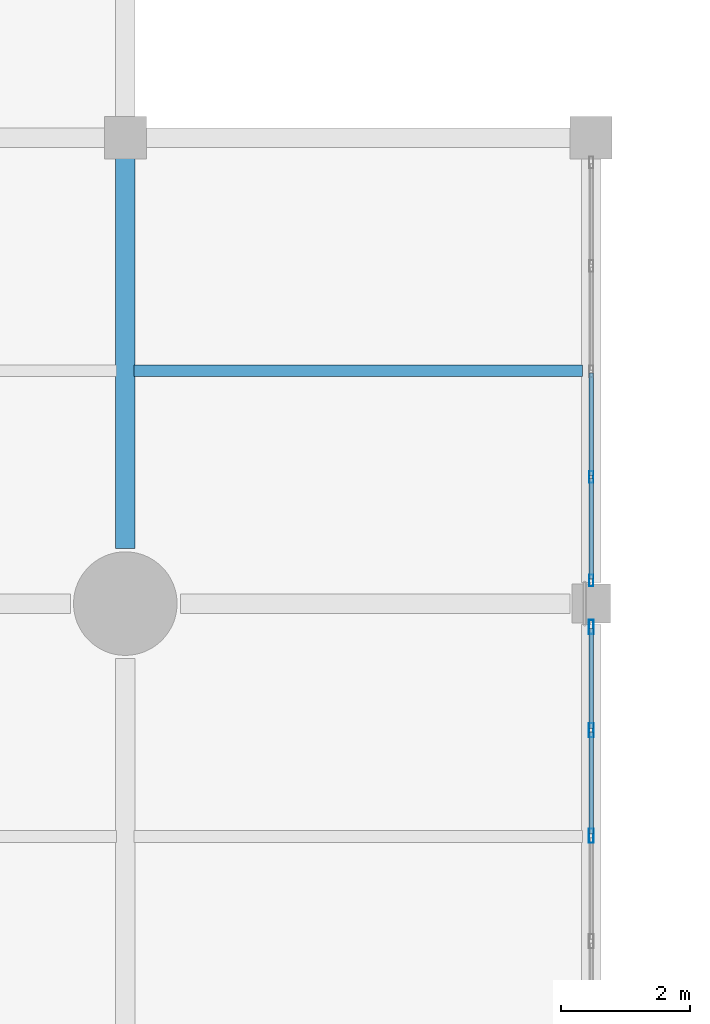
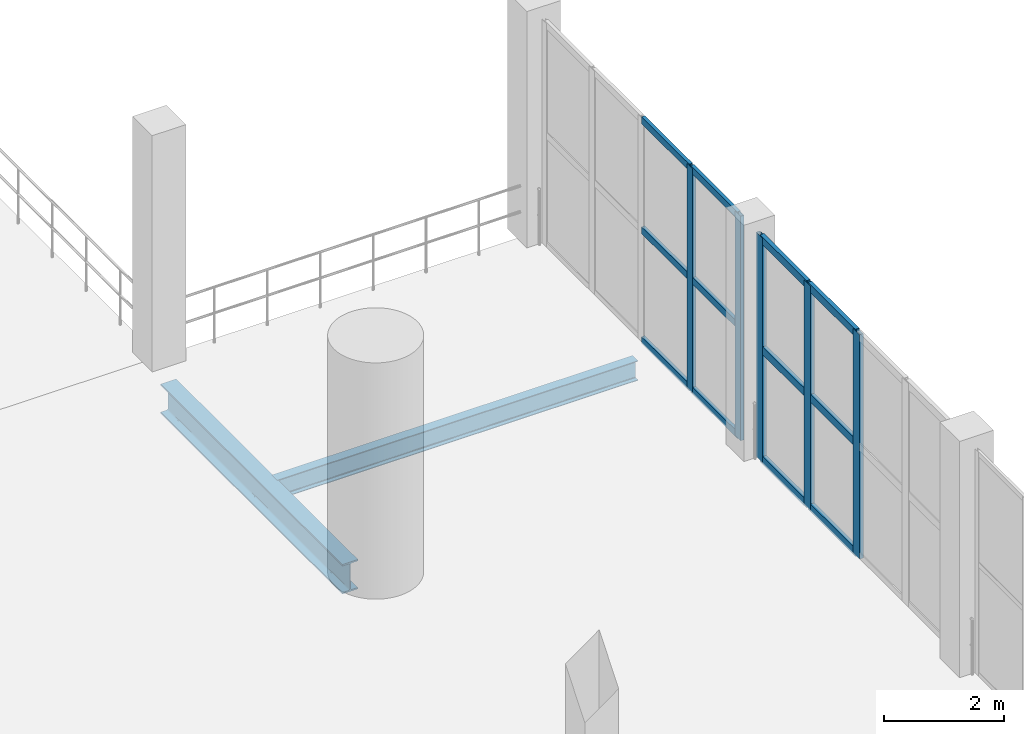
# One storey, part 53 of 105: 17 members, 2 beams, 2 elements without a shape of their own.
"""IFC4 building model written with IfcOpenShell, lengths in metres."""

from ifc_helpers import new_model, si_unit, direction, frame, origin, origin_2d, place, context, subcontext, project, spatial, hollow_rectangle, i_section, extrude, material, material_profile, profile_set, type_object, element, aggregate, save


model = new_model("IFC4")

# Units and contexts
model_context = context("Model", 3, precision=1e-05, world=origin(), true_north=direction((0.0, 1.0)))
body_context = subcontext(model_context, "Body", "Model", "MODEL_VIEW")
ifc_project = project(units=[si_unit("LENGTHUNIT", "METRE"), si_unit("AREAUNIT", "SQUARE_METRE"), si_unit("VOLUMEUNIT", "CUBIC_METRE"), si_unit("PLANEANGLEUNIT", "RADIAN"), si_unit("MASSUNIT", "GRAM", prefix="KILO")], contexts=[model_context])

# Site, building, storey
site_placement = place(None, origin())
site = spatial("IfcSite", under=ifc_project, at=site_placement, CompositionType="ELEMENT")
building_placement = place(site_placement, origin())
building = spatial("IfcBuilding", under=site, at=building_placement, Name="Qandorah Velis Arena", CompositionType="ELEMENT")
storey_placement = place(building_placement, frame((0.0, 0.0, 13.800048828125)))
storey = spatial("IfcBuildingStorey", under=building, at=storey_placement, Name="L03", CompositionType="ELEMENT", Elevation=13.800048828125)

# Curtain wall, members
ifc_material_1 = material(Name="Solar-control low-E double glazing", Category="glass")
curtain_wall_type_1 = type_object("IfcCurtainWallType", Name="ARC-CW-SYS10", PredefinedType="USERDEFINED", material=ifc_material_1)
curtain_wall_1_placement = place(storey_placement, origin())
curtain_wall_1 = element("IfcCurtainWall", 1, at=curtain_wall_1_placement, inside=storey, type_object=curtain_wall_type_1, Name="Unitised curtain wall L03-178", ObjectType="UNITISED CURTAIN WALL", PredefinedType="USERDEFINED")
ifc_material_2 = material(Name="Champagne-bronze anodized aluminium 6063-T6", Category="aluminium")
ifc_material_profile_1 = material_profile(ifc_material_2, hollow_rectangle(XDim=0.06494140625, YDim=0.179931640625, WallThickness=0.00341796875, at=origin_2d()), Name="ALU MULLION 65x180")
ifc_profile_set_1 = profile_set([ifc_material_profile_1], Name="Champagne-bronze anodized aluminium 6063-T6")
member_type_1 = type_object("IfcMemberType", Name="ARC-CWM-180", PredefinedType="MULLION", material=ifc_profile_set_1)
member_1_placement = place(storey_placement, frame((122.39990234375, 101.157470703125, -0.01513671875), z_axis=(0.0, 0.0, 1.0), x_axis=(-1.0, 0.0, 0.0)))
member_1 = element("IfcMember", 2, at=member_1_placement, type_object=member_type_1, Name="CW10 mullion 1", PredefinedType="MULLION", context=body_context, shape_type="SweptSolid", body=[
    extrude(hollow_rectangle(XDim=0.06494140625, YDim=0.179931640625, WallThickness=0.00341796875, at=origin_2d()), origin(), (0.0, 0.0, 1.0), 4.56005859375),
])
member_2_placement = place(storey_placement, frame((122.39990234375, 102.75634765625, -0.01513671875), z_axis=(0.0, 0.0, 1.0), x_axis=(-1.0, 0.0, 0.0)))
member_2 = element("IfcMember", 3, at=member_2_placement, type_object=member_type_1, Name="CW10 mullion 2", PredefinedType="MULLION", context=body_context, shape_type="SweptSolid", body=[
    extrude(hollow_rectangle(XDim=0.06494140625, YDim=0.179931640625, WallThickness=0.00341796875, at=origin_2d()), origin(), (0.0, 0.0, 1.0), 4.56005859375),
])

curtain_wall_type_2 = type_object("IfcCurtainWallType", Name="ARC-CW-SYS09", PredefinedType="USERDEFINED", material=ifc_material_1)
curtain_wall_2_placement = place(storey_placement, origin())
curtain_wall_2 = element("IfcCurtainWall", 4, at=curtain_wall_2_placement, inside=storey, type_object=curtain_wall_type_2, Name="Unitised curtain wall L03-177", ObjectType="UNITISED CURTAIN WALL", PredefinedType="USERDEFINED")
ifc_material_profile_2 = material_profile(ifc_material_2, hollow_rectangle(XDim=0.074951171875, YDim=0.219970703125, WallThickness=0.00390625, at=origin_2d()), Name="ALU MULLION 75x220")
ifc_profile_set_2 = profile_set([ifc_material_profile_2], Name="Champagne-bronze anodized aluminium 6063-T6")
member_type_2 = type_object("IfcMemberType", Name="ARC-CWM-220", PredefinedType="MULLION", material=ifc_profile_set_2)
member_3_placement = place(storey_placement, frame((122.39990234375, 97.21240234375, -0.01513671875), z_axis=(0.0, 0.0, 1.0), x_axis=(-1.0, 0.0, 0.0)))
member_3 = element("IfcMember", 5, at=member_3_placement, type_object=member_type_2, Name="CW09 mullion 3", PredefinedType="MULLION", context=body_context, shape_type="SweptSolid", body=[
    extrude(hollow_rectangle(XDim=0.074951171875, YDim=0.219970703125, WallThickness=0.00390625, at=origin_2d()), origin(), (0.0, 0.0, 1.0), 4.56005859375),
])
member_4_placement = place(storey_placement, frame((122.39990234375, 98.84375, -0.01513671875), z_axis=(0.0, 0.0, 1.0), x_axis=(-1.0, 0.0, 0.0)))
member_4 = element("IfcMember", 6, at=member_4_placement, type_object=member_type_2, Name="CW09 mullion 4", PredefinedType="MULLION", context=body_context, shape_type="SweptSolid", body=[
    extrude(hollow_rectangle(XDim=0.074951171875, YDim=0.219970703125, WallThickness=0.00390625, at=origin_2d()), origin(), (0.0, 0.0, 1.0), 4.56005859375),
])
member_5_placement = place(storey_placement, frame((122.39990234375, 100.4375, -0.01513671875), z_axis=(0.0, 0.0, 1.0), x_axis=(-1.0, 0.0, 0.0)))
member_5 = element("IfcMember", 7, at=member_5_placement, type_object=member_type_2, Name="CW09 mullion 5", PredefinedType="MULLION", context=body_context, shape_type="SweptSolid", body=[
    extrude(hollow_rectangle(XDim=0.074951171875, YDim=0.219970703125, WallThickness=0.00390625, at=origin_2d()), origin(), (0.0, 0.0, 1.0), 4.56005859375),
])

# Member
ifc_material_profile_3 = material_profile(ifc_material_2, hollow_rectangle(XDim=0.06494140625, YDim=0.139892578125, WallThickness=0.0029296875, at=origin_2d()), Name="ALU TRANSOM 65x140")
ifc_profile_set_3 = profile_set([ifc_material_profile_3], Name="Champagne-bronze anodized aluminium 6063-T6")
member_type_3 = type_object("IfcMemberType", Name="ARC-CWT-140", PredefinedType="USERDEFINED", material=ifc_profile_set_3)
member_6_placement = place(storey_placement, frame((122.39990234375, 101.177978515625, 0.032470703125), z_axis=(0.0, 1.0, 0.0), x_axis=(-1.0, 0.0, 0.0)))
member_6 = element("IfcMember", 8, at=member_6_placement, type_object=member_type_3, Name="CW10 transom 1.1", ObjectType="TRANSOM", PredefinedType="USERDEFINED", context=body_context, shape_type="SweptSolid", body=[
    extrude(hollow_rectangle(XDim=0.06494140625, YDim=0.139892578125, WallThickness=0.0029296875, at=origin_2d()), origin(), (0.0, 0.0, 1.0), 1.5576171875),
])

member_7_placement = place(storey_placement, frame((122.39990234375, 101.177978515625, 2.264892578125), z_axis=(0.0, 1.0, 0.0), x_axis=(-1.0, 0.0, 0.0)))
member_7 = element("IfcMember", 9, at=member_7_placement, type_object=member_type_3, Name="CW10 transom 1.2", ObjectType="TRANSOM", PredefinedType="USERDEFINED", context=body_context, shape_type="SweptSolid", body=[
    extrude(hollow_rectangle(XDim=0.06494140625, YDim=0.139892578125, WallThickness=0.0029296875, at=origin_2d()), origin(), (0.0, 0.0, 1.0), 1.5576171875),
])

member_8_placement = place(storey_placement, frame((122.39990234375, 101.177978515625, 4.49755859375), z_axis=(0.0, 1.0, 0.0), x_axis=(-1.0, 0.0, 0.0)))
member_8 = element("IfcMember", 10, at=member_8_placement, type_object=member_type_3, Name="CW10 transom 1.3", ObjectType="TRANSOM", PredefinedType="USERDEFINED", context=body_context, shape_type="SweptSolid", body=[
    extrude(hollow_rectangle(XDim=0.06494140625, YDim=0.139892578125, WallThickness=0.0029296875, at=origin_2d()), origin(), (0.0, 0.0, 1.0), 1.5576171875),
])

member_9_placement = place(storey_placement, frame((122.39990234375, 102.77685546875, 0.032470703125), z_axis=(0.0, 1.0, 0.0), x_axis=(-1.0, 0.0, 0.0)))
member_9 = element("IfcMember", 11, at=member_9_placement, type_object=member_type_3, Name="CW10 transom 2.1", ObjectType="TRANSOM", PredefinedType="USERDEFINED", context=body_context, shape_type="SweptSolid", body=[
    extrude(hollow_rectangle(XDim=0.06494140625, YDim=0.139892578125, WallThickness=0.0029296875, at=origin_2d()), origin(), (0.0, 0.0, 1.0), 1.590087890625),
])

member_10_placement = place(storey_placement, frame((122.39990234375, 102.77685546875, 2.264892578125), z_axis=(0.0, 1.0, 0.0), x_axis=(-1.0, 0.0, 0.0)))
member_10 = element("IfcMember", 12, at=member_10_placement, type_object=member_type_3, Name="CW10 transom 2.2", ObjectType="TRANSOM", PredefinedType="USERDEFINED", context=body_context, shape_type="SweptSolid", body=[
    extrude(hollow_rectangle(XDim=0.06494140625, YDim=0.139892578125, WallThickness=0.0029296875, at=origin_2d()), origin(), (0.0, 0.0, 1.0), 1.590087890625),
])

member_11_placement = place(storey_placement, frame((122.39990234375, 102.77685546875, 4.49755859375), z_axis=(0.0, 1.0, 0.0), x_axis=(-1.0, 0.0, 0.0)))
member_11 = element("IfcMember", 13, at=member_11_placement, type_object=member_type_3, Name="CW10 transom 2.3", ObjectType="TRANSOM", PredefinedType="USERDEFINED", context=body_context, shape_type="SweptSolid", body=[
    extrude(hollow_rectangle(XDim=0.06494140625, YDim=0.139892578125, WallThickness=0.0029296875, at=origin_2d()), origin(), (0.0, 0.0, 1.0), 1.590087890625),
])

aggregate(curtain_wall_1, [member_1, member_2, member_6, member_7, member_8, member_9, member_10, member_11])

ifc_material_profile_4 = material_profile(ifc_material_2, hollow_rectangle(XDim=0.074951171875, YDim=0.159912109375, WallThickness=0.00341796875, at=origin_2d()), Name="ALU TRANSOM 75x160")
ifc_profile_set_4 = profile_set([ifc_material_profile_4], Name="Champagne-bronze anodized aluminium 6063-T6")
member_type_4 = type_object("IfcMemberType", Name="ARC-CWT-160", PredefinedType="USERDEFINED", material=ifc_profile_set_4)
member_12_placement = place(storey_placement, frame((122.39990234375, 97.238037109375, 0.037353515625), z_axis=(0.0, 1.0, 0.0), x_axis=(-1.0, 0.0, 0.0)))
member_12 = element("IfcMember", 14, at=member_12_placement, type_object=member_type_4, Name="CW09 transom 3.1", ObjectType="TRANSOM", PredefinedType="USERDEFINED", context=body_context, shape_type="SweptSolid", body=[
    extrude(hollow_rectangle(XDim=0.074951171875, YDim=0.159912109375, WallThickness=0.00341796875, at=origin_2d()), origin(), (0.0, 0.0, 1.0), 1.580078125),
])

member_13_placement = place(storey_placement, frame((122.39990234375, 97.238037109375, 2.264892578125), z_axis=(0.0, 1.0, 0.0), x_axis=(-1.0, 0.0, 0.0)))
member_13 = element("IfcMember", 15, at=member_13_placement, type_object=member_type_4, Name="CW09 transom 3.2", ObjectType="TRANSOM", PredefinedType="USERDEFINED", context=body_context, shape_type="SweptSolid", body=[
    extrude(hollow_rectangle(XDim=0.074951171875, YDim=0.159912109375, WallThickness=0.00341796875, at=origin_2d()), origin(), (0.0, 0.0, 1.0), 1.580078125),
])

member_14_placement = place(storey_placement, frame((122.39990234375, 97.238037109375, 4.492431640625), z_axis=(0.0, 1.0, 0.0), x_axis=(-1.0, 0.0, 0.0)))
member_14 = element("IfcMember", 16, at=member_14_placement, type_object=member_type_4, Name="CW09 transom 3.3", ObjectType="TRANSOM", PredefinedType="USERDEFINED", context=body_context, shape_type="SweptSolid", body=[
    extrude(hollow_rectangle(XDim=0.074951171875, YDim=0.159912109375, WallThickness=0.00341796875, at=origin_2d()), origin(), (0.0, 0.0, 1.0), 1.580078125),
])

member_15_placement = place(storey_placement, frame((122.39990234375, 98.869140625, 0.037353515625), z_axis=(0.0, 1.0, 0.0), x_axis=(-1.0, 0.0, 0.0)))
member_15 = element("IfcMember", 17, at=member_15_placement, type_object=member_type_4, Name="CW09 transom 4.1", ObjectType="TRANSOM", PredefinedType="USERDEFINED", context=body_context, shape_type="SweptSolid", body=[
    extrude(hollow_rectangle(XDim=0.074951171875, YDim=0.159912109375, WallThickness=0.00341796875, at=origin_2d()), origin(), (0.0, 0.0, 1.0), 1.54296875),
])

member_16_placement = place(storey_placement, frame((122.39990234375, 98.869140625, 2.264892578125), z_axis=(0.0, 1.0, 0.0), x_axis=(-1.0, 0.0, 0.0)))
member_16 = element("IfcMember", 18, at=member_16_placement, type_object=member_type_4, Name="CW09 transom 4.2", ObjectType="TRANSOM", PredefinedType="USERDEFINED", context=body_context, shape_type="SweptSolid", body=[
    extrude(hollow_rectangle(XDim=0.074951171875, YDim=0.159912109375, WallThickness=0.00341796875, at=origin_2d()), origin(), (0.0, 0.0, 1.0), 1.54296875),
])

member_17_placement = place(storey_placement, frame((122.39990234375, 98.869140625, 4.492431640625), z_axis=(0.0, 1.0, 0.0), x_axis=(-1.0, 0.0, 0.0)))
member_17 = element("IfcMember", 19, at=member_17_placement, type_object=member_type_4, Name="CW09 transom 4.3", ObjectType="TRANSOM", PredefinedType="USERDEFINED", context=body_context, shape_type="SweptSolid", body=[
    extrude(hollow_rectangle(XDim=0.074951171875, YDim=0.159912109375, WallThickness=0.00341796875, at=origin_2d()), origin(), (0.0, 0.0, 1.0), 1.54296875),
])

aggregate(curtain_wall_2, [member_3, member_4, member_5, member_12, member_13, member_14, member_15, member_16, member_17])

# Beams
ifc_material_3 = material(Name="Steel S355", Category="steel")
ifc_material_profile_5 = material_profile(ifc_material_3, i_section(OverallWidth=0.300048828125, OverallDepth=0.60009765625, WebThickness=0.015380859375, FlangeThickness=0.030029296875, FilletRadius=0.027099609375, at=origin_2d()), Name="HEB 600")
ifc_profile_set_5 = profile_set([ifc_material_profile_5], Name="Steel S355")
beam_type_1 = type_object("IfcBeamType", Name="STR-BM-HEB600", PredefinedType="BEAM", material=ifc_profile_set_5)
beam_1_placement = place(storey_placement, frame((115.199951171875, 101.64990234375, -0.6201171875), z_axis=(0.0, 1.0, 0.0), x_axis=(-1.0, 0.0, 0.0)))
element("IfcBeam", 20, at=beam_1_placement, inside=storey, type_object=beam_type_1, Name="Primary floor girder L03 Y-312", PredefinedType="BEAM", context=body_context, shape_type="SweptSolid", body=[
    extrude(i_section(OverallWidth=0.300048828125, OverallDepth=0.60009765625, WebThickness=0.015380859375, FlangeThickness=0.030029296875, FilletRadius=0.027099609375, at=origin_2d()), origin(), (0.0, 0.0, 1.0), 6.050048828125),
])
ifc_material_profile_6 = material_profile(ifc_material_3, i_section(OverallWidth=0.179931640625, OverallDepth=0.39990234375, WebThickness=0.008544921875, FlangeThickness=0.013427734375, FilletRadius=0.02099609375, at=origin_2d()), Name="IPE 400")
ifc_profile_set_6 = profile_set([ifc_material_profile_6], Name="Steel S355")
beam_type_2 = type_object("IfcBeamType", Name="STR-JST-IPE400", PredefinedType="JOIST", material=ifc_profile_set_6)
beam_2_placement = place(storey_placement, frame((115.3349609375, 104.39990234375, -0.52001953125), z_axis=(1.0, 0.0, 0.0), x_axis=(0.0, 1.0, 0.0)))
element("IfcBeam", 21, at=beam_2_placement, inside=storey, type_object=beam_type_2, Name="Secondary floor joist L03-093", PredefinedType="JOIST", context=body_context, shape_type="SweptSolid", body=[
    extrude(i_section(OverallWidth=0.179931640625, OverallDepth=0.39990234375, WebThickness=0.008544921875, FlangeThickness=0.013427734375, FilletRadius=0.02099609375, at=origin_2d()), origin(), (0.0, 0.0, 1.0), 6.929931640625),
])

save(model, "model.ifc")
